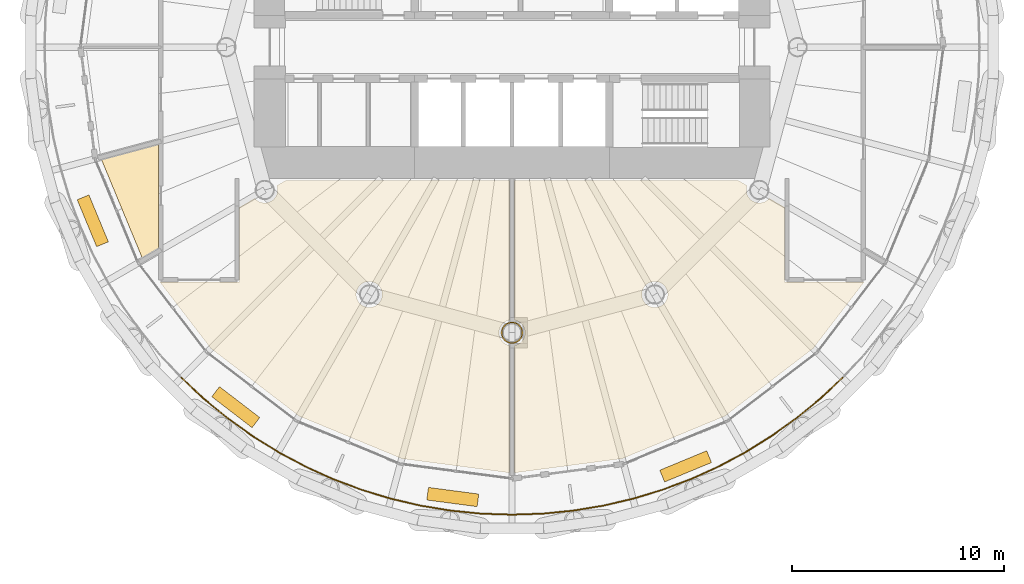
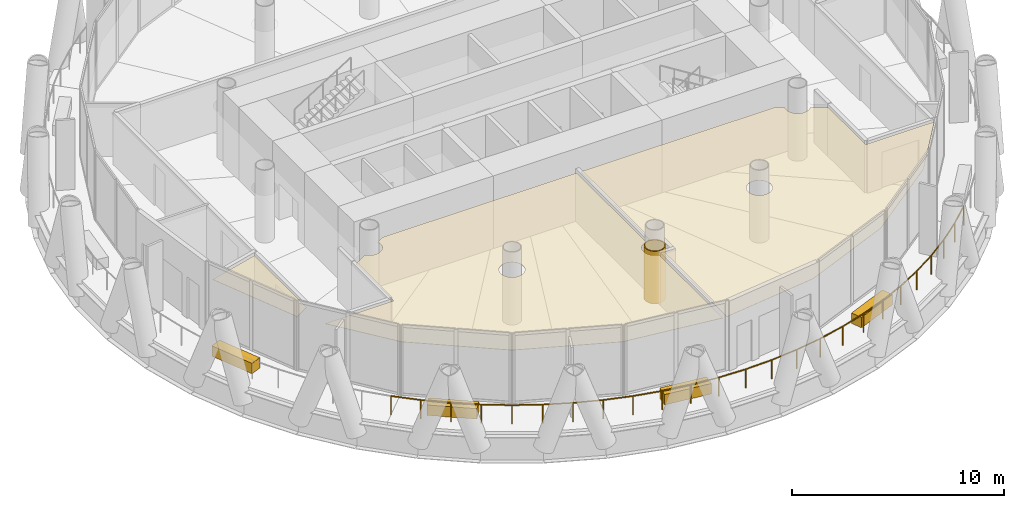
# One storey, part 12 of 14: 8 coverings, 1 railing.
"""IFC4 building model written with IfcOpenShell, lengths in metres."""

from ifc_helpers import new_model, si_unit, direction, frame, origin, origin_2d, place, context, subcontext, project, spatial, polyline, rectangle, circle, outline, extrude, material, layer, layer_set, type_object, element, save


model = new_model("IFC4")

# Units and contexts
model_context = context("Model", 3, precision=1e-05, world=origin(), true_north=direction((0.0, 1.0)))
body_context = subcontext(model_context, "Body", "Model", "MODEL_VIEW")
ifc_project = project(units=[si_unit("LENGTHUNIT", "METRE"), si_unit("AREAUNIT", "SQUARE_METRE"), si_unit("VOLUMEUNIT", "CUBIC_METRE"), si_unit("PLANEANGLEUNIT", "RADIAN"), si_unit("MASSUNIT", "GRAM", prefix="KILO")], contexts=[model_context])

# Site, building, storey
site_placement = place(None, origin())
site = spatial("IfcSite", under=ifc_project, at=site_placement, CompositionType="ELEMENT")
building_placement = place(site_placement, origin())
building = spatial("IfcBuilding", under=site, at=building_placement, Name="Qaws Media Tower", CompositionType="ELEMENT")
storey_placement = place(building_placement, frame((0.0, 0.0, 215.0)))
storey = spatial("IfcBuildingStorey", under=building, at=storey_placement, Name="L49", CompositionType="ELEMENT", Elevation=215.0)

# Railing
ifc_material_1 = material(Name="Stainless steel and glass guard", Category="steel")
railing_type = type_object("IfcRailingType", Name="Balcony guard 1100", PredefinedType="GUARDRAIL", material=ifc_material_1)
railing_placement = place(storey_placement, frame((44.373046875, 34.373046875, 0.0)))
element("IfcRailing", 1, at=railing_placement, inside=storey, type_object=railing_type, Name="GR1 balcony guard L49-3", PredefinedType="GUARDRAIL", context=body_context, shape_type="SweptSolid", body=[
    extrude(circle(Radius=0.02392578125, at=origin_2d()), frame((0.0, 0.0, 1.076171875), z_axis=(0.729774058644, -0.68368839637, 0.0), x_axis=(0.68368839637, 0.729774058644, 0.0)), (0.0, 0.0, 1.0), 1.4462890625),
    extrude(circle(Radius=0.02392578125, at=origin_2d()), frame((1.055419921875, -0.98876953125, 1.076171875), z_axis=(0.773001196488, -0.63440456353, 0.0), x_axis=(0.63440456353, 0.773001196488, 0.0)), (0.0, 0.0, 1.0), 1.4462890625),
    extrude(circle(Radius=0.02392578125, at=origin_2d()), frame((2.17333984375, -1.90625, 1.076171875), z_axis=(0.81287707376, -0.582435286495, 0.0), x_axis=(0.582435286495, 0.81287707376, 0.0)), (0.0, 0.0, 1.0), 1.446044921875),
    extrude(circle(Radius=0.02392578125, at=origin_2d()), frame((3.348876953125, -2.74853515625, 1.076171875), z_axis=(0.849191203705, -0.528085504014, 0.0), x_axis=(0.528085504014, 0.849191203705, 0.0)), (0.0, 0.0, 1.0), 1.446044921875),
    extrude(circle(Radius=0.02392578125, at=origin_2d()), frame((4.576904296875, -3.51220703125, 1.076171875), z_axis=(0.881941349083, -0.471359159005, 0.0), x_axis=(0.471359159005, 0.881941349083, 0.0)), (0.0, 0.0, 1.0), 1.446044921875),
    extrude(circle(Radius=0.02392578125, at=origin_2d()), frame((5.852294921875, -4.19384765625, 1.076171875), z_axis=(0.91085721218, -0.412721624125, 0.0), x_axis=(0.412721624125, 0.91085721218, 0.0)), (0.0, 0.0, 1.0), 1.4462890625),
    extrude(circle(Radius=0.02392578125, at=origin_2d()), frame((7.169677734375, -4.790771484375, 1.076171875), z_axis=(0.935884434721, -0.35230714561, 0.0), x_axis=(0.35230714561, 0.935884434721, 0.0)), (0.0, 0.0, 1.0), 1.4462890625),
    extrude(circle(Radius=0.02392578125, at=origin_2d()), frame((8.523193359375, -5.30029296875, 1.076171875), z_axis=(0.956957640218, -0.290227625888, 0.0), x_axis=(0.290227625888, 0.956957640218, 0.0)), (0.0, 0.0, 1.0), 1.446044921875),
    extrude(circle(Radius=0.02392578125, at=origin_2d()), frame((9.906982421875, -5.719970703125, 1.076171875), z_axis=(0.97388228529, -0.227053505584, 0.0), x_axis=(0.227053505584, 0.97388228529, 0.0)), (0.0, 0.0, 1.0), 1.4462890625),
    extrude(circle(Radius=0.02392578125, at=origin_2d()), frame((11.3154296875, -6.04833984375, 1.076171875), z_axis=(0.986643695772, -0.162893270559, 0.0), x_axis=(0.162893270559, 0.986643695772, 0.0)), (0.0, 0.0, 1.0), 1.4462890625),
    extrude(circle(Radius=0.02392578125, at=origin_2d()), frame((12.742431640625, -6.283935546875, 1.076171875), z_axis=(0.995178249928, -0.098082877559, 0.0), x_axis=(0.098082877559, 0.995178249928, 0.0)), (0.0, 0.0, 1.0), 1.4462890625),
    extrude(circle(Radius=0.02392578125, at=origin_2d()), frame((14.181640625, -6.42578125, 1.076171875), z_axis=(0.999463486772, -0.032752688587, 0.0), x_axis=(0.032752688587, 0.999463486772, 0.0)), (0.0, 0.0, 1.0), 1.446044921875),
    extrude(circle(Radius=0.02392578125, at=origin_2d()), frame((15.626953125, -6.47314453125, 1.076171875), z_axis=(0.999463486772, 0.032752688587, 0.0), x_axis=(-0.032752688587, 0.999463486772, 0.0)), (0.0, 0.0, 1.0), 1.446044921875),
    extrude(circle(Radius=0.02392578125, at=origin_2d()), frame((17.072265625, -6.42578125, 1.076171875), z_axis=(0.995178249928, 0.098082877559, 0.0), x_axis=(-0.098082877559, 0.995178249928, 0.0)), (0.0, 0.0, 1.0), 1.4462890625),
    extrude(circle(Radius=0.02392578125, at=origin_2d()), frame((18.511474609375, -6.283935546875, 1.076171875), z_axis=(0.986643695772, 0.162893270559, 0.0), x_axis=(-0.162893270559, 0.986643695772, 0.0)), (0.0, 0.0, 1.0), 1.4462890625),
    extrude(circle(Radius=0.02392578125, at=origin_2d()), frame((19.9384765625, -6.04833984375, 1.076171875), z_axis=(0.97388228529, 0.227053505584, 0.0), x_axis=(-0.227053505584, 0.97388228529, 0.0)), (0.0, 0.0, 1.0), 1.4462890625),
    extrude(circle(Radius=0.02392578125, at=origin_2d()), frame((21.346923828125, -5.719970703125, 1.076171875), z_axis=(0.956957640218, 0.290227625888, 0.0), x_axis=(-0.290227625888, 0.956957640218, 0.0)), (0.0, 0.0, 1.0), 1.446044921875),
    extrude(circle(Radius=0.02392578125, at=origin_2d()), frame((22.730712890625, -5.30029296875, 1.076171875), z_axis=(0.935884434721, 0.35230714561, 0.0), x_axis=(-0.35230714561, 0.935884434721, 0.0)), (0.0, 0.0, 1.0), 1.4462890625),
    extrude(circle(Radius=0.02392578125, at=origin_2d()), frame((24.084228515625, -4.790771484375, 1.076171875), z_axis=(0.91085721218, 0.412721624125, 0.0), x_axis=(-0.412721624125, 0.91085721218, 0.0)), (0.0, 0.0, 1.0), 1.4462890625),
    extrude(circle(Radius=0.02392578125, at=origin_2d()), frame((25.401611328125, -4.19384765625, 1.076171875), z_axis=(0.881941349083, 0.471359159005, 0.0), x_axis=(-0.471359159005, 0.881941349083, 0.0)), (0.0, 0.0, 1.0), 1.446044921875),
    extrude(circle(Radius=0.02392578125, at=origin_2d()), frame((26.677001953125, -3.51220703125, 1.076171875), z_axis=(0.849191203705, 0.528085504014, 0.0), x_axis=(-0.528085504014, 0.849191203705, 0.0)), (0.0, 0.0, 1.0), 1.446044921875),
    extrude(circle(Radius=0.02392578125, at=origin_2d()), frame((27.905029296875, -2.74853515625, 1.076171875), z_axis=(0.81287707376, 0.582435286495, 0.0), x_axis=(-0.582435286495, 0.81287707376, 0.0)), (0.0, 0.0, 1.0), 1.446044921875),
    extrude(circle(Radius=0.02392578125, at=origin_2d()), frame((29.08056640625, -1.90625, 1.076171875), z_axis=(0.773001196488, 0.63440456353, 0.0), x_axis=(-0.63440456353, 0.773001196488, 0.0)), (0.0, 0.0, 1.0), 1.4462890625),
    extrude(circle(Radius=0.02392578125, at=origin_2d()), frame((30.198486328125, -0.98876953125, 1.076171875), z_axis=(0.729774058644, 0.68368839637, 0.0), x_axis=(-0.68368839637, 0.729774058644, 0.0)), (0.0, 0.0, 1.0), 1.4462890625),
    extrude(circle(Radius=0.02099609375, at=origin_2d()), origin(), (0.0, 0.0, 1.0), 1.052001953125),
    extrude(circle(Radius=0.02099609375, at=origin_2d()), frame((1.055419921875, -0.98876953125, 0.0)), (0.0, 0.0, 1.0), 1.052001953125),
    extrude(circle(Radius=0.02099609375, at=origin_2d()), frame((2.17333984375, -1.90625, 0.0)), (0.0, 0.0, 1.0), 1.052001953125),
    extrude(circle(Radius=0.02099609375, at=origin_2d()), frame((3.348876953125, -2.74853515625, 0.0)), (0.0, 0.0, 1.0), 1.052001953125),
    extrude(circle(Radius=0.02099609375, at=origin_2d()), frame((4.576904296875, -3.51220703125, 0.0)), (0.0, 0.0, 1.0), 1.052001953125),
    extrude(circle(Radius=0.02099609375, at=origin_2d()), frame((5.852294921875, -4.19384765625, 0.0)), (0.0, 0.0, 1.0), 1.052001953125),
    extrude(circle(Radius=0.02099609375, at=origin_2d()), frame((7.169677734375, -4.790771484375, 0.0)), (0.0, 0.0, 1.0), 1.052001953125),
    extrude(circle(Radius=0.02099609375, at=origin_2d()), frame((8.523193359375, -5.30029296875, 0.0)), (0.0, 0.0, 1.0), 1.052001953125),
    extrude(circle(Radius=0.02099609375, at=origin_2d()), frame((9.906982421875, -5.719970703125, 0.0)), (0.0, 0.0, 1.0), 1.052001953125),
    extrude(circle(Radius=0.02099609375, at=origin_2d()), frame((11.3154296875, -6.04833984375, 0.0)), (0.0, 0.0, 1.0), 1.052001953125),
    extrude(circle(Radius=0.02099609375, at=origin_2d()), frame((12.742431640625, -6.283935546875, 0.0)), (0.0, 0.0, 1.0), 1.052001953125),
    extrude(circle(Radius=0.02099609375, at=origin_2d()), frame((14.181640625, -6.42578125, 0.0)), (0.0, 0.0, 1.0), 1.052001953125),
    extrude(circle(Radius=0.02099609375, at=origin_2d()), frame((15.626953125, -6.47314453125, 0.0)), (0.0, 0.0, 1.0), 1.052001953125),
    extrude(circle(Radius=0.02099609375, at=origin_2d()), frame((17.072265625, -6.42578125, 0.0)), (0.0, 0.0, 1.0), 1.052001953125),
    extrude(circle(Radius=0.02099609375, at=origin_2d()), frame((18.511474609375, -6.283935546875, 0.0)), (0.0, 0.0, 1.0), 1.052001953125),
    extrude(circle(Radius=0.02099609375, at=origin_2d()), frame((19.9384765625, -6.04833984375, 0.0)), (0.0, 0.0, 1.0), 1.052001953125),
    extrude(circle(Radius=0.02099609375, at=origin_2d()), frame((21.346923828125, -5.719970703125, 0.0)), (0.0, 0.0, 1.0), 1.052001953125),
    extrude(circle(Radius=0.02099609375, at=origin_2d()), frame((22.730712890625, -5.30029296875, 0.0)), (0.0, 0.0, 1.0), 1.052001953125),
    extrude(circle(Radius=0.02099609375, at=origin_2d()), frame((24.084228515625, -4.790771484375, 0.0)), (0.0, 0.0, 1.0), 1.052001953125),
    extrude(circle(Radius=0.02099609375, at=origin_2d()), frame((25.401611328125, -4.19384765625, 0.0)), (0.0, 0.0, 1.0), 1.052001953125),
    extrude(circle(Radius=0.02099609375, at=origin_2d()), frame((26.677001953125, -3.51220703125, 0.0)), (0.0, 0.0, 1.0), 1.052001953125),
    extrude(circle(Radius=0.02099609375, at=origin_2d()), frame((27.905029296875, -2.74853515625, 0.0)), (0.0, 0.0, 1.0), 1.052001953125),
    extrude(circle(Radius=0.02099609375, at=origin_2d()), frame((29.08056640625, -1.90625, 0.0)), (0.0, 0.0, 1.0), 1.052001953125),
    extrude(circle(Radius=0.02099609375, at=origin_2d()), frame((30.198486328125, -0.98876953125, 0.0)), (0.0, 0.0, 1.0), 1.052001953125),
    extrude(circle(Radius=0.02099609375, at=origin_2d()), frame((31.25390625, 0.0, 0.0)), (0.0, 0.0, 1.0), 1.052001953125),
])

# Coverings
ifc_material_2 = material(Name="Two layers 15 fire-rated gypsum board on steel framing", Category="steel")
ifc_layer_1 = layer(ifc_material_2, 0.050048828125)
ifc_layer_set_1 = layer_set([ifc_layer_1], Name="Column fire casing")
covering_type_1 = type_object("IfcCoveringType", Name="Column fire casing", PredefinedType="CLADDING", material=ifc_layer_set_1)
covering_1_placement = place(storey_placement, origin())
element("IfcCovering", 2, at=covering_1_placement, inside=storey, type_object=covering_type_1, Name="CC1 column casing L49", PredefinedType="CLADDING", context=body_context, shape_type="SweptSolid", body=[
    extrude(outline(polyline([(60.511962890625, 36.5), (60.507568359375, 36.43310546875), (60.49462890625, 36.367431640625), (60.472900390625, 36.30419921875), (60.443359375, 36.243896484375), (60.40625, 36.188232421875), (60.362060546875, 36.137939453125), (60.311767578125, 36.09375), (60.256103515625, 36.056640625), (60.19580078125, 36.027099609375), (60.132568359375, 36.00537109375), (60.06689453125, 35.992431640625), (60.0, 35.988037109375), (59.93310546875, 35.992431640625), (59.867431640625, 36.00537109375), (59.80419921875, 36.027099609375), (59.743896484375, 36.056640625), (59.688232421875, 36.09375), (59.637939453125, 36.137939453125), (59.59375, 36.188232421875), (59.556640625, 36.243896484375), (59.527099609375, 36.30419921875), (59.50537109375, 36.367431640625), (59.492431640625, 36.43310546875), (59.488037109375, 36.5), (59.492431640625, 36.56689453125), (59.50537109375, 36.632568359375), (59.527099609375, 36.69580078125), (59.556640625, 36.756103515625), (59.59375, 36.811767578125), (59.637939453125, 36.862060546875), (59.688232421875, 36.90625), (59.743896484375, 36.943359375), (59.80419921875, 36.972900390625), (59.867431640625, 36.99462890625), (59.93310546875, 37.007568359375), (60.0, 37.011962890625), (60.06689453125, 37.007568359375), (60.132568359375, 36.99462890625), (60.19580078125, 36.972900390625), (60.256103515625, 36.943359375), (60.311767578125, 36.90625), (60.362060546875, 36.862060546875), (60.40625, 36.811767578125), (60.443359375, 36.756103515625), (60.472900390625, 36.69580078125), (60.49462890625, 36.632568359375), (60.507568359375, 36.56689453125), (60.511962890625, 36.5)]), holes=[polyline([(60.4599609375, 36.5), (60.4560546875, 36.43994140625), (60.4443359375, 36.380859375), (60.425048828125, 36.323974609375), (60.3984375, 36.27001953125), (60.364990234375, 36.219970703125), (60.3251953125, 36.1748046875), (60.280029296875, 36.135009765625), (60.22998046875, 36.1015625), (60.176025390625, 36.074951171875), (60.119140625, 36.0556640625), (60.06005859375, 36.0439453125), (60.0, 36.0400390625), (59.93994140625, 36.0439453125), (59.880859375, 36.0556640625), (59.823974609375, 36.074951171875), (59.77001953125, 36.1015625), (59.719970703125, 36.135009765625), (59.6748046875, 36.1748046875), (59.635009765625, 36.219970703125), (59.6015625, 36.27001953125), (59.574951171875, 36.323974609375), (59.5556640625, 36.380859375), (59.5439453125, 36.43994140625), (59.5400390625, 36.5), (59.5439453125, 36.56005859375), (59.5556640625, 36.619140625), (59.574951171875, 36.676025390625), (59.6015625, 36.72998046875), (59.635009765625, 36.780029296875), (59.6748046875, 36.8251953125), (59.719970703125, 36.864990234375), (59.77001953125, 36.8984375), (59.823974609375, 36.925048828125), (59.880859375, 36.9443359375), (59.93994140625, 36.9560546875), (60.0, 36.9599609375), (60.06005859375, 36.9560546875), (60.119140625, 36.9443359375), (60.176025390625, 36.925048828125), (60.22998046875, 36.8984375), (60.280029296875, 36.864990234375), (60.3251953125, 36.8251953125), (60.364990234375, 36.780029296875), (60.3984375, 36.72998046875), (60.425048828125, 36.676025390625), (60.4443359375, 36.619140625), (60.4560546875, 36.56005859375), (60.4599609375, 36.5)])]), origin(), (0.0, 0.0, 1.0), 3.02001953125),
])
ifc_material_3 = material(Name="600 x 600 mineral fibre tiles in exposed grid, suspended", Category="mineral fibre")
ifc_layer_2 = layer(ifc_material_3, 0.02001953125)
ifc_layer_set_2 = layer_set([ifc_layer_2], Name="Mineral fibre tile ceiling 20")
covering_type_2 = type_object("IfcCoveringType", Name="Mineral fibre tile ceiling 20", PredefinedType="CEILING", material=ifc_layer_set_2)
covering_2_placement = place(storey_placement, frame((0.0, 0.0, 2.85009765625)))
element("IfcCovering", 3, at=covering_2_placement, inside=storey, type_object=covering_type_2, Name="CL1 ceiling L49-06 Office", PredefinedType="CEILING", context=body_context, shape_type="SweptSolid", body=[
    extrude(outline(polyline([(40.59423828125, 44.683837890625), (43.28759765625, 45.405517578125), (43.28759765625, 40.48095703125), (42.51904296875, 40.037109375), (40.59423828125, 44.683837890625)])), origin(), (0.0, 0.0, 1.0), 0.02001953125),
])
covering_3_placement = place(storey_placement, frame((0.0, 0.0, 2.85009765625)))
element("IfcCovering", 4, at=covering_3_placement, inside=storey, type_object=covering_type_2, Name="CL1 ceiling L49-07 Tenant office", PredefinedType="CEILING", context=body_context, shape_type="SweptSolid", body=[
    extrude(outline(polyline([(47.112548828125, 38.887451171875), (47.112548828125, 42.429443359375), (47.840576171875, 42.849853515625), (47.872314453125, 42.813720703125), (47.93310546875, 42.760498046875), (48.000244140625, 42.7158203125), (48.072509765625, 42.679931640625), (48.14892578125, 42.654052734375), (48.22802734375, 42.63818359375), (48.30859375, 42.633056640625), (48.38916015625, 42.63818359375), (48.46826171875, 42.654052734375), (48.544921875, 42.679931640625), (48.6171875, 42.7158203125), (48.684326171875, 42.760498046875), (48.744873046875, 42.813720703125), (48.798095703125, 42.87451171875), (48.843017578125, 42.94140625), (48.878662109375, 43.013916015625), (48.904541015625, 43.09033203125), (48.92041015625, 43.16943359375), (48.92578125, 43.25), (48.92041015625, 43.33056640625), (48.904541015625, 43.40966796875), (48.88916015625, 43.455322265625), (49.29150390625, 43.6875), (59.887451171875, 43.6875), (59.887451171875, 37.10546875), (59.84033203125, 37.095947265625), (59.763916015625, 37.070068359375), (59.69140625, 37.0341796875), (59.62451171875, 36.989501953125), (59.563720703125, 36.936279296875), (59.510498046875, 36.87548828125), (59.4658203125, 36.80859375), (59.429931640625, 36.736083984375), (59.404052734375, 36.65966796875), (59.38818359375, 36.58056640625), (59.383056640625, 36.5), (59.38818359375, 36.41943359375), (59.404052734375, 36.34033203125), (59.429931640625, 36.263916015625), (59.4658203125, 36.19140625), (59.510498046875, 36.12451171875), (59.563720703125, 36.063720703125), (59.62451171875, 36.010498046875), (59.69140625, 35.9658203125), (59.763916015625, 35.929931640625), (59.84033203125, 35.904052734375), (59.887451171875, 35.89453125), (59.887451171875, 29.879638671875), (54.78857421875, 30.55078125), (49.932373046875, 32.5625), (45.76220703125, 35.76220703125), (43.364013671875, 38.887451171875), (47.112548828125, 38.887451171875)]), holes=[polyline([(53.845947265625, 38.14892578125), (53.86181640625, 38.22802734375), (53.866943359375, 38.30859375), (53.86181640625, 38.38916015625), (53.845947265625, 38.46826171875), (53.820068359375, 38.544921875), (53.7841796875, 38.6171875), (53.739501953125, 38.684326171875), (53.686279296875, 38.744873046875), (53.62548828125, 38.798095703125), (53.55859375, 38.843017578125), (53.486083984375, 38.878662109375), (53.40966796875, 38.904541015625), (53.33056640625, 38.92041015625), (53.25, 38.92578125), (53.16943359375, 38.92041015625), (53.09033203125, 38.904541015625), (53.013916015625, 38.878662109375), (52.94140625, 38.843017578125), (52.87451171875, 38.798095703125), (52.813720703125, 38.744873046875), (52.760498046875, 38.684326171875), (52.7158203125, 38.6171875), (52.679931640625, 38.544921875), (52.654052734375, 38.46826171875), (52.63818359375, 38.38916015625), (52.633056640625, 38.30859375), (52.63818359375, 38.22802734375), (52.654052734375, 38.14892578125), (52.679931640625, 38.072509765625), (52.7158203125, 38.000244140625), (52.760498046875, 37.93310546875), (52.813720703125, 37.872314453125), (52.87451171875, 37.819091796875), (52.94140625, 37.7744140625), (53.013916015625, 37.738525390625), (53.09033203125, 37.712646484375), (53.16943359375, 37.697021484375), (53.25, 37.691650390625), (53.33056640625, 37.697021484375), (53.40966796875, 37.712646484375), (53.486083984375, 37.738525390625), (53.55859375, 37.7744140625), (53.62548828125, 37.819091796875), (53.686279296875, 37.872314453125), (53.739501953125, 37.93310546875), (53.7841796875, 38.000244140625), (53.820068359375, 38.072509765625), (53.845947265625, 38.14892578125)])]), origin(), (0.0, 0.0, 1.0), 0.02001953125),
])
covering_4_placement = place(storey_placement, frame((0.0, 0.0, 2.85009765625)))
element("IfcCovering", 5, at=covering_4_placement, inside=storey, type_object=covering_type_2, Name="CL1 ceiling L49-08 Tenant office", PredefinedType="CEILING", context=body_context, shape_type="SweptSolid", body=[
    extrude(outline(polyline([(72.887451171875, 38.887451171875), (76.635986328125, 38.887451171875), (74.23779296875, 35.76220703125), (70.067626953125, 32.5625), (65.21142578125, 30.55078125), (60.112548828125, 29.879638671875), (60.112548828125, 35.89453125), (60.15966796875, 35.904052734375), (60.236083984375, 35.929931640625), (60.30859375, 35.9658203125), (60.37548828125, 36.010498046875), (60.436279296875, 36.063720703125), (60.489501953125, 36.12451171875), (60.5341796875, 36.19140625), (60.570068359375, 36.263916015625), (60.595947265625, 36.34033203125), (60.61181640625, 36.41943359375), (60.616943359375, 36.5), (60.61181640625, 36.58056640625), (60.595947265625, 36.65966796875), (60.570068359375, 36.736083984375), (60.5341796875, 36.80859375), (60.489501953125, 36.87548828125), (60.436279296875, 36.936279296875), (60.37548828125, 36.989501953125), (60.30859375, 37.0341796875), (60.236083984375, 37.070068359375), (60.15966796875, 37.095947265625), (60.112548828125, 37.10546875), (60.112548828125, 43.6875), (70.70849609375, 43.6875), (71.11083984375, 43.455322265625), (71.095458984375, 43.40966796875), (71.07958984375, 43.33056640625), (71.07421875, 43.25), (71.07958984375, 43.16943359375), (71.095458984375, 43.09033203125), (71.121337890625, 43.013916015625), (71.156982421875, 42.94140625), (71.201904296875, 42.87451171875), (71.255126953125, 42.813720703125), (71.315673828125, 42.760498046875), (71.3828125, 42.7158203125), (71.455078125, 42.679931640625), (71.53173828125, 42.654052734375), (71.61083984375, 42.63818359375), (71.69140625, 42.633056640625), (71.77197265625, 42.63818359375), (71.85107421875, 42.654052734375), (71.927490234375, 42.679931640625), (71.999755859375, 42.7158203125), (72.06689453125, 42.760498046875), (72.127685546875, 42.813720703125), (72.159423828125, 42.849853515625), (72.887451171875, 42.429443359375), (72.887451171875, 38.887451171875)]), holes=[polyline([(67.320068359375, 38.072509765625), (67.345947265625, 38.14892578125), (67.36181640625, 38.22802734375), (67.366943359375, 38.30859375), (67.36181640625, 38.38916015625), (67.345947265625, 38.46826171875), (67.320068359375, 38.544921875), (67.2841796875, 38.6171875), (67.239501953125, 38.684326171875), (67.186279296875, 38.744873046875), (67.12548828125, 38.798095703125), (67.05859375, 38.843017578125), (66.986083984375, 38.878662109375), (66.90966796875, 38.904541015625), (66.83056640625, 38.92041015625), (66.75, 38.92578125), (66.66943359375, 38.92041015625), (66.59033203125, 38.904541015625), (66.513916015625, 38.878662109375), (66.44140625, 38.843017578125), (66.37451171875, 38.798095703125), (66.313720703125, 38.744873046875), (66.260498046875, 38.684326171875), (66.2158203125, 38.6171875), (66.179931640625, 38.544921875), (66.154052734375, 38.46826171875), (66.13818359375, 38.38916015625), (66.133056640625, 38.30859375), (66.13818359375, 38.22802734375), (66.154052734375, 38.14892578125), (66.179931640625, 38.072509765625), (66.2158203125, 38.000244140625), (66.260498046875, 37.93310546875), (66.313720703125, 37.872314453125), (66.37451171875, 37.819091796875), (66.44140625, 37.7744140625), (66.513916015625, 37.738525390625), (66.59033203125, 37.712646484375), (66.66943359375, 37.697021484375), (66.75, 37.691650390625), (66.83056640625, 37.697021484375), (66.90966796875, 37.712646484375), (66.986083984375, 37.738525390625), (67.05859375, 37.7744140625), (67.12548828125, 37.819091796875), (67.186279296875, 37.872314453125), (67.239501953125, 37.93310546875), (67.2841796875, 38.000244140625), (67.320068359375, 38.072509765625)])]), origin(), (0.0, 0.0, 1.0), 0.02001953125),
])
ifc_material_4 = material(Name="Precast concrete planter with trailing planting", Category="concrete")
ifc_layer_3 = layer(ifc_material_4, 0.60009765625)
ifc_layer_set_3 = layer_set([ifc_layer_3], Name="Planter 2400x600")
covering_type_3 = type_object("IfcCoveringType", Name="Planter 2400x600", PredefinedType="USERDEFINED", material=ifc_layer_set_3)
for number, where, z_axis, x_axis, name in (
    (6, (40.182861328125, 41.79150390625, 0.0), (0.0, 0.0, 1.0), (0.382683432365, -0.923879532511, 0.0), "PL1 balcony planter L49-07"),
    (7, (46.942138671875, 32.982666015625, 0.0), (0.0, 0.0, 1.0), (0.793353340291, -0.608761429009, 0.0), "PL1 balcony planter L49-08"),
    (8, (57.2001953125, 28.7333984375, 0.0), (0.0, 0.0, 1.0), (0.991444861374, -0.13052619222, 0.0), "PL1 balcony planter L49-09"),
    (9, (68.20849609375, 30.182861328125, 0.0), (0.0, 0.0, 1.0), (0.923879532511, 0.382683432365, 0.0), "PL1 balcony planter L49-10"),
):
    element("IfcCovering", number, at=place(storey_placement, frame(where, z_axis=z_axis, x_axis=x_axis)), inside=storey, type_object=covering_type_3, Name=name, ObjectType="PLANTER", PredefinedType="USERDEFINED", context=body_context, shape_type="SweptSolid", body=[
        extrude(rectangle(XDim=2.39990234375, YDim=0.60009765625, at=origin_2d()), origin(), (0.0, 0.0, 1.0), 0.60009765625),
    ])

save(model, "model.ifc")
